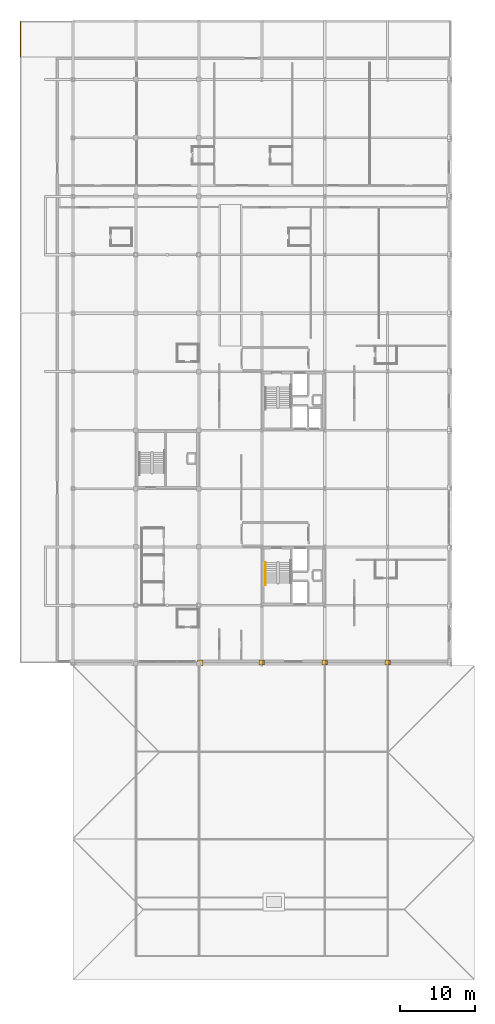
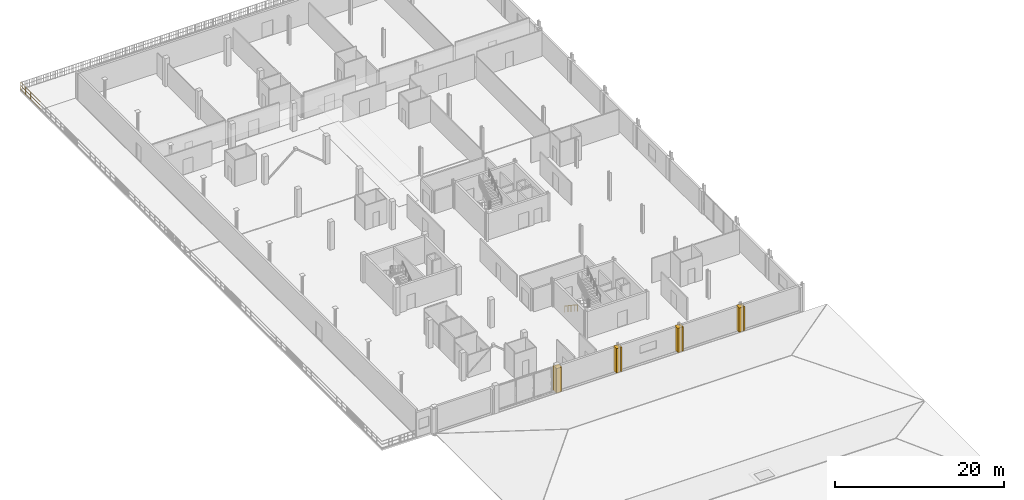
# One storey, part 22 of 25: 7 coverings, 2 railings.
"""IFC4 building model written with IfcOpenShell, lengths in metres."""

from ifc_helpers import new_model, si_unit, direction, frame, origin, origin_2d, place, context, subcontext, project, spatial, polyline, circle, outline, extrude, material, layer, layer_set, type_object, element, save


model = new_model("IFC4")

# Units and contexts
model_context = context("Model", 3, precision=1e-05, world=origin(), true_north=direction((0.0, 1.0)))
body_context = subcontext(model_context, "Body", "Model", "MODEL_VIEW")
ifc_project = project(units=[si_unit("LENGTHUNIT", "METRE"), si_unit("AREAUNIT", "SQUARE_METRE"), si_unit("VOLUMEUNIT", "CUBIC_METRE"), si_unit("PLANEANGLEUNIT", "RADIAN"), si_unit("MASSUNIT", "GRAM", prefix="KILO")], contexts=[model_context])

# Site, building, storey
site_placement = place(None, origin())
site = spatial("IfcSite", under=ifc_project, at=site_placement, CompositionType="ELEMENT")
building_placement = place(site_placement, origin())
building = spatial("IfcBuilding", under=site, at=building_placement, Name="Nabrawat Pavilion Hospital", CompositionType="ELEMENT")
storey_placement = place(building_placement, frame((0.0, 0.0, 22.949951171875)))
storey = spatial("IfcBuildingStorey", under=building, at=storey_placement, Name="L05", CompositionType="ELEMENT", Elevation=22.949951171875)

# Coverings
ifc_material_1 = material(Name="Precast concrete C40/50", Category="concrete")
ifc_layer_1 = layer(ifc_material_1, 0.360107421875, Name="Precast concrete C40/50")
ifc_layer_set_1 = layer_set([ifc_layer_1], Name="Precast concrete C40/50")
covering_type = type_object("IfcCoveringType", Name="Architectural Precast Column-Jamb Closure Reveal", PredefinedType="CLADDING", material=ifc_layer_set_1)
covering_1_placement = place(storey_placement, origin())
element("IfcCovering", 1, at=covering_1_placement, inside=storey, type_object=covering_type, Name="L05 Precast Facade Column-Jamb Weatherseal Closure 0586", PredefinedType="CLADDING", context=body_context, shape_type="SweptSolid", body=[
    extrude(outline(polyline([(160.14501953125, 38.804931640625), (160.14501953125, 39.534912109375), (159.405029296875, 39.534912109375), (159.405029296875, 38.804931640625), (160.14501953125, 38.804931640625)])), origin(), (0.0, 0.0, 1.0), 3.510009765625),
])
covering_2_placement = place(storey_placement, origin())
element("IfcCovering", 2, at=covering_2_placement, inside=storey, type_object=covering_type, Name="L05 Precast Facade Column-Jamb Weatherseal Closure 0587", PredefinedType="CLADDING", context=body_context, shape_type="SweptSolid", body=[
    extrude(outline(polyline([(168.179931640625, 38.820068359375), (168.179931640625, 39.52001953125), (167.6201171875, 39.52001953125), (167.6201171875, 38.820068359375), (168.179931640625, 38.820068359375)])), origin(), (0.0, 0.0, 1.0), 3.510009765625),
])
covering_3_placement = place(storey_placement, origin())
element("IfcCovering", 3, at=covering_3_placement, inside=storey, type_object=covering_type, Name="L05 Precast Facade Column-Jamb Weatherseal Closure 0588", PredefinedType="CLADDING", context=body_context, shape_type="SweptSolid", body=[
    extrude(outline(polyline([(168.3798828125, 38.820068359375), (168.3798828125, 39.52001953125), (167.820068359375, 39.52001953125), (167.820068359375, 38.820068359375), (168.3798828125, 38.820068359375)])), origin(), (0.0, 0.0, 1.0), 3.510009765625),
])
covering_4_placement = place(storey_placement, origin())
element("IfcCovering", 4, at=covering_4_placement, inside=storey, type_object=covering_type, Name="L05 Precast Facade Column-Jamb Weatherseal Closure 0589", PredefinedType="CLADDING", context=body_context, shape_type="SweptSolid", body=[
    extrude(outline(polyline([(176.580078125, 38.820068359375), (176.580078125, 39.52001953125), (176.02001953125, 39.52001953125), (176.02001953125, 38.820068359375), (176.580078125, 38.820068359375)])), origin(), (0.0, 0.0, 1.0), 3.510009765625),
])
covering_5_placement = place(storey_placement, origin())
element("IfcCovering", 5, at=covering_5_placement, inside=storey, type_object=covering_type, Name="L05 Precast Facade Column-Jamb Weatherseal Closure 0590", PredefinedType="CLADDING", context=body_context, shape_type="SweptSolid", body=[
    extrude(outline(polyline([(176.780029296875, 38.820068359375), (176.780029296875, 39.52001953125), (176.219970703125, 39.52001953125), (176.219970703125, 38.820068359375), (176.780029296875, 38.820068359375)])), origin(), (0.0, 0.0, 1.0), 3.510009765625),
])
covering_6_placement = place(storey_placement, origin())
element("IfcCovering", 6, at=covering_6_placement, inside=storey, type_object=covering_type, Name="L05 Precast Facade Column-Jamb Weatherseal Closure 0591", PredefinedType="CLADDING", context=body_context, shape_type="SweptSolid", body=[
    extrude(outline(polyline([(184.97998046875, 38.820068359375), (184.97998046875, 39.52001953125), (184.419921875, 39.52001953125), (184.419921875, 38.820068359375), (184.97998046875, 38.820068359375)])), origin(), (0.0, 0.0, 1.0), 3.510009765625),
])
covering_7_placement = place(storey_placement, origin())
element("IfcCovering", 7, at=covering_7_placement, inside=storey, type_object=covering_type, Name="L05 Precast Facade Column-Jamb Weatherseal Closure 0592", PredefinedType="CLADDING", context=body_context, shape_type="SweptSolid", body=[
    extrude(outline(polyline([(185.179931640625, 38.820068359375), (185.179931640625, 39.52001953125), (184.6201171875, 39.52001953125), (184.6201171875, 38.820068359375), (185.179931640625, 38.820068359375)])), origin(), (0.0, 0.0, 1.0), 3.510009765625),
])

# Railings
ifc_material_2 = material(Name="Stainless Steel 316", Category="steel")
ifc_layer_2 = layer(ifc_material_2, 0.070068359375, Name="Stainless Steel 316")
ifc_layer_set_2 = layer_set([ifc_layer_2], Name="Stainless Steel 316")
railing_type_1 = type_object("IfcRailingType", Name="Exterior Clinical Terrace Safety Guardrail 1100", PredefinedType="GUARDRAIL", material=ifc_layer_set_2)
railing_1_placement = place(storey_placement, frame((135.780029296875, 120.06005859375, 0.0)))
element("IfcRailing", 8, at=railing_1_placement, inside=storey, type_object=railing_type_1, Name="L05 Terrace Edge Safety Guardrail T_L05_WARD_NORTH West", PredefinedType="GUARDRAIL", context=body_context, shape_type="SweptSolid", body=[
    extrude(circle(Radius=0.02392578125, at=origin_2d()), frame((0.0, 0.0, 1.076171875), z_axis=(0.0, 1.0, 0.0), x_axis=(-1.0, 0.0, 0.0)), (0.0, 0.0, 1.0), 4.679931640625),
    extrude(circle(Radius=0.02392578125, at=origin_2d()), frame((0.0, 0.0, 0.10009765625), z_axis=(0.0, 1.0, 0.0), x_axis=(-1.0, 0.0, 0.0)), (0.0, 0.0, 1.0), 4.679931640625),
    extrude(circle(Radius=0.02392578125, at=origin_2d()), frame((0.0, 0.0, 0.60498046875), z_axis=(0.0, 1.0, 0.0), x_axis=(-1.0, 0.0, 0.0)), (0.0, 0.0, 1.0), 4.679931640625),
    extrude(circle(Radius=0.008056640625, at=origin_2d()), frame((0.0, 0.23388671875, 0.10009765625)), (0.0, 0.0, 1.0), 0.951904296875),
    extrude(circle(Radius=0.008056640625, at=origin_2d()), frame((0.0, 0.468017578125, 0.10009765625)), (0.0, 0.0, 1.0), 0.951904296875),
    extrude(circle(Radius=0.008056640625, at=origin_2d()), frame((0.0, 0.701904296875, 0.10009765625)), (0.0, 0.0, 1.0), 0.951904296875),
    extrude(circle(Radius=0.008056640625, at=origin_2d()), frame((0.0, 0.93603515625, 0.10009765625)), (0.0, 0.0, 1.0), 0.951904296875),
    extrude(circle(Radius=0.008056640625, at=origin_2d()), frame((0.0, 1.404052734375, 0.10009765625)), (0.0, 0.0, 1.0), 0.951904296875),
    extrude(circle(Radius=0.008056640625, at=origin_2d()), frame((0.0, 1.637939453125, 0.10009765625)), (0.0, 0.0, 1.0), 0.951904296875),
    extrude(circle(Radius=0.008056640625, at=origin_2d()), frame((0.0, 1.8720703125, 0.10009765625)), (0.0, 0.0, 1.0), 0.951904296875),
    extrude(circle(Radius=0.008056640625, at=origin_2d()), frame((0.0, 2.10595703125, 0.10009765625)), (0.0, 0.0, 1.0), 0.951904296875),
    extrude(circle(Radius=0.008056640625, at=origin_2d()), frame((0.0, 2.573974609375, 0.10009765625)), (0.0, 0.0, 1.0), 0.951904296875),
    extrude(circle(Radius=0.008056640625, at=origin_2d()), frame((0.0, 2.807861328125, 0.10009765625)), (0.0, 0.0, 1.0), 0.951904296875),
    extrude(circle(Radius=0.008056640625, at=origin_2d()), frame((0.0, 3.0419921875, 0.10009765625)), (0.0, 0.0, 1.0), 0.951904296875),
    extrude(circle(Radius=0.008056640625, at=origin_2d()), frame((0.0, 3.27587890625, 0.10009765625)), (0.0, 0.0, 1.0), 0.951904296875),
    extrude(circle(Radius=0.008056640625, at=origin_2d()), frame((0.0, 3.743896484375, 0.10009765625)), (0.0, 0.0, 1.0), 0.951904296875),
    extrude(circle(Radius=0.008056640625, at=origin_2d()), frame((0.0, 3.97802734375, 0.10009765625)), (0.0, 0.0, 1.0), 0.951904296875),
    extrude(circle(Radius=0.008056640625, at=origin_2d()), frame((0.0, 4.2119140625, 0.10009765625)), (0.0, 0.0, 1.0), 0.951904296875),
    extrude(circle(Radius=0.008056640625, at=origin_2d()), frame((0.0, 4.446044921875, 0.10009765625)), (0.0, 0.0, 1.0), 0.951904296875),
    extrude(circle(Radius=0.02099609375, at=origin_2d()), origin(), (0.0, 0.0, 1.0), 1.052001953125),
    extrude(circle(Radius=0.02099609375, at=origin_2d()), frame((0.0, 1.169921875, 0.0)), (0.0, 0.0, 1.0), 1.052001953125),
    extrude(circle(Radius=0.02099609375, at=origin_2d()), frame((0.0, 2.33984375, 0.0)), (0.0, 0.0, 1.0), 1.052001953125),
    extrude(circle(Radius=0.02099609375, at=origin_2d()), frame((0.0, 3.510009765625, 0.0)), (0.0, 0.0, 1.0), 1.052001953125),
    extrude(circle(Radius=0.02099609375, at=origin_2d()), frame((0.0, 4.679931640625, 0.0)), (0.0, 0.0, 1.0), 1.052001953125),
])
ifc_layer_3 = layer(ifc_material_2, 0.044921875, Name="Stainless Steel 316")
ifc_layer_set_3 = layer_set([ifc_layer_3], Name="Stainless Steel 316")
railing_type_2 = type_object("IfcRailingType", Name="Stair Pitch Continuous Handrail 920", PredefinedType="HANDRAIL", material=ifc_layer_set_3)
railing_2_placement = place(storey_placement, frame((168.47509765625, 52.530029296875, 0.188232421875)))
element("IfcRailing", 9, at=railing_2_placement, inside=storey, type_object=railing_type_2, Name="L05 ST-05 stair handrail 1", PredefinedType="HANDRAIL", context=body_context, shape_type="SweptSolid", body=[
    extrude(circle(Radius=0.02392578125, at=origin_2d()), frame((0.0, 0.0, 0.89599609375), z_axis=(0.0, -0.831017067507, 0.556246917755), x_axis=(1.0, 0.0, 0.0)), (0.0, 0.0, 1.0), 3.640380859375),
    extrude(circle(Radius=0.02099609375, at=origin_2d()), origin(), (0.0, 0.0, 1.0), 0.871826171875),
    extrude(circle(Radius=0.02099609375, at=origin_2d()), frame((0.0, -0.75634765625, 0.50634765625)), (0.0, 0.0, 1.0), 0.871826171875),
    extrude(circle(Radius=0.02099609375, at=origin_2d()), frame((0.0, -1.5126953125, 1.012451171875)), (0.0, 0.0, 1.0), 0.871826171875),
    extrude(circle(Radius=0.02099609375, at=origin_2d()), frame((0.0, -2.268798828125, 1.5185546875)), (0.0, 0.0, 1.0), 0.871826171875),
    extrude(circle(Radius=0.02099609375, at=origin_2d()), frame((0.0, -3.025146484375, 2.02490234375)), (0.0, 0.0, 1.0), 0.871826171875),
])

save(model, "model.ifc")
